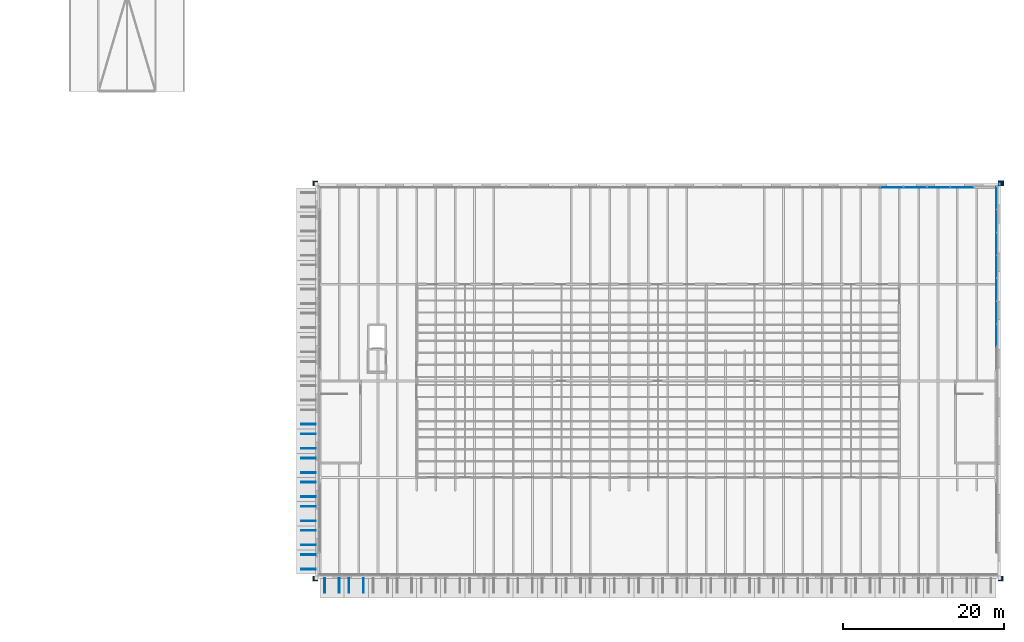
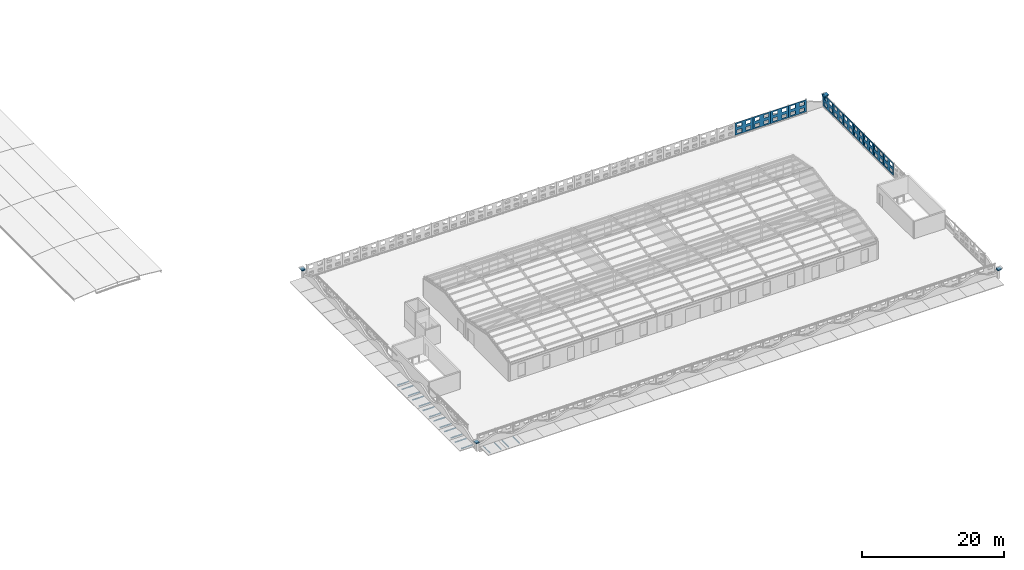
# One storey, part 64 of 91: 21 walls, 17 discrete accessories, 44 openings.
"""IFC4 building model written with IfcOpenShell, lengths in metres."""

import ifcopenshell
import ifcopenshell.guid

model = None  # the IFC model being written
_history = None  # IfcOwnerHistory: only IFC2X3 demands one
_inside = {}  # id of a spatial element -> (the spatial element, [elements in it])
_under = {}  # id of a project, library or spatial element -> (it, [spatial elements below it])
_declared = {}  # id of a project -> (the project, [libraries it declares])
_typed = {}  # id of a type object -> (the type object, [elements of that type])
_made_of = {}  # id of a material, layer set ... -> (it, [elements and type objects made of it])


def new_model(schema):
    """Start an empty IFC model of exactly this schema.

    Asked for "IFC4X3", IfcOpenShell would pick the latest addendum, in which some entities
    have other attributes; the version numbers below select the first issue.
    IFC2X3 requires an IfcOwnerHistory on every rooted entity: one is made here for all.
    """
    global model, _history
    if schema == "IFC4X3":
        model = ifcopenshell.file(schema_version=(4, 3, 0, 0))
    else:
        model = ifcopenshell.file(schema=schema)
    _inside.clear()
    _under.clear()
    _declared.clear()
    _typed.clear()
    _made_of.clear()
    _history = None
    if model.schema == "IFC2X3":
        org = make("IfcOrganization", Name="unknown")
        user = make(
            "IfcPersonAndOrganization",
            ThePerson=make("IfcPerson", FamilyName="unknown"),
            TheOrganization=org,
        )
        app = make(
            "IfcApplication",
            ApplicationDeveloper=org,
            Version="unknown",
            ApplicationFullName="unknown",
            ApplicationIdentifier="unknown",
        )
        _history = make(
            "IfcOwnerHistory",
            OwningUser=user,
            OwningApplication=app,
            ChangeAction="ADDED",
            CreationDate=0,
        )
    return model


def make(cls, **values):
    """One entity of the class cls with the attributes given. An attribute that is None is left unset."""
    return model.create_entity(
        cls, **{name: value for name, value in values.items() if value is not None}
    )


def rooted(cls, **values):
    """An entity with a GlobalId (a new one), such as an element, a storey or a relation."""
    return make(cls, GlobalId=ifcopenshell.guid.new(), OwnerHistory=_history, **values)


def si_unit(unit_type, name, prefix=None):
    """IfcSIUnit, for example si_unit("LENGTHUNIT", "METRE", prefix="MILLI")."""
    return make("IfcSIUnit", UnitType=unit_type, Prefix=prefix, Name=name)


def assignment(units):
    """IfcUnitAssignment: the units of a project."""
    return None if units is None else make("IfcUnitAssignment", Units=units)


def point(xyz):
    """IfcCartesianPoint."""
    return None if xyz is None else make("IfcCartesianPoint", Coordinates=xyz)


def direction(xyz):
    """IfcDirection."""
    return None if xyz is None else make("IfcDirection", DirectionRatios=xyz)


def frame(location, z_axis=None, x_axis=None):
    """IfcAxis2Placement3D, a coordinate frame: its origin and axes. An axis left out is left unset."""
    return make(
        "IfcAxis2Placement3D",
        Location=point(location),
        Axis=direction(z_axis),
        RefDirection=direction(x_axis),
    )


def frame_2d(location, x_axis=None):
    """IfcAxis2Placement2D, a coordinate frame in the plane: its origin and x axis."""
    return make(
        "IfcAxis2Placement2D", Location=point(location), RefDirection=direction(x_axis)
    )


def origin():
    """The frame at (0, 0, 0) with its axes left unset."""
    return frame((0.0, 0.0, 0.0))


def origin_2d():
    """The frame at (0, 0) in the plane with its x axis left unset."""
    return frame_2d((0.0, 0.0))


def place(relative_to, where):
    """IfcLocalPlacement: puts the frame where relative to a parent placement (None: the world)."""
    return make(
        "IfcLocalPlacement", PlacementRelTo=relative_to, RelativePlacement=where
    )


def context(
    kind, dimensions, precision=None, world=None, true_north=None, identifier=None
):
    """IfcGeometricRepresentationContext, for example the 3D "Model" context."""
    return make(
        "IfcGeometricRepresentationContext",
        ContextIdentifier=identifier,
        ContextType=kind,
        CoordinateSpaceDimension=dimensions,
        Precision=precision,
        WorldCoordinateSystem=world,
        TrueNorth=true_north,
    )


def subcontext(parent, identifier, kind, view, scale=None):
    """IfcGeometricRepresentationSubContext, for example "Body" below "Model"."""
    return make(
        "IfcGeometricRepresentationSubContext",
        ContextIdentifier=identifier,
        ContextType=kind,
        ParentContext=parent,
        TargetScale=scale,
        TargetView=view,
    )


def project(units=None, contexts=None):
    """IfcProject with its units and contexts."""
    return rooted(
        "IfcProject",
        Name="project",
        RepresentationContexts=contexts,
        UnitsInContext=assignment(units),
    )


def spatial(cls, under=None, at=None, **own):
    """A site, building, storey or space (cls), placed at a placement, below another one or the project."""
    s = rooted(cls, ObjectPlacement=at, **own)
    if under is not None:
        _under.setdefault(under.id(), (under, []))[1].append(s)
    return s


def profile(cls, at=None, kind="AREA", **sizes):
    """A parametric profile (cls). Its sizes go by their IFC names, for example OverallWidth=200.0."""
    return make(cls, ProfileType=kind, Position=at, **sizes)


def rectangle(**sizes):
    """IfcRectangleProfileDef."""
    return profile("IfcRectangleProfileDef", **sizes)


def extrude(swept, where, along, depth):
    """IfcExtrudedAreaSolid: the profile swept, set in the frame where, extruded along a direction by depth."""
    return make(
        "IfcExtrudedAreaSolid",
        SweptArea=swept,
        Position=where,
        ExtrudedDirection=direction(along),
        Depth=depth,
    )


def shape(context_of_items, identifier, shape_type, items):
    """IfcShapeRepresentation: the items that make up one representation, for example the "Body"."""
    return make(
        "IfcShapeRepresentation",
        ContextOfItems=context_of_items,
        RepresentationIdentifier=identifier,
        RepresentationType=shape_type,
        Items=items,
    )


def material(Name=None, Category=None):
    """IfcMaterial."""
    return make("IfcMaterial", Name=Name, Category=Category)


def layer(
    of_material, thickness, ventilated=None, Name=None, Category=None, Priority=None
):
    """IfcMaterialLayer: one layer of a wall or slab, of a material (None: an air gap)."""
    return make(
        "IfcMaterialLayer",
        Material=of_material,
        LayerThickness=thickness,
        IsVentilated=ventilated,
        Name=Name,
        Category=Category,
        Priority=Priority,
    )


def layer_set(layers, Name=None):
    """IfcMaterialLayerSet."""
    return make("IfcMaterialLayerSet", MaterialLayers=layers, LayerSetName=Name)


def made_of(thing, what):
    """Note that an element or type object is made of a material, layer set ...; save() writes the relation."""
    if what is not None:
        _made_of.setdefault(what.id(), (what, []))[1].append(thing)
    return thing


def type_object(cls, material=None, **own):
    """A type object (cls), such as IfcWallType, which elements share."""
    return made_of(rooted(cls, **own), material)


def element(
    cls,
    number,
    at=None,
    inside=None,
    cuts=None,
    type_object=None,
    material=None,
    context=None,
    identifier="Body",
    shape_type=None,
    held_by="IfcProductDefinitionShape",
    body=None,
    shapes=None,
    **own,
):
    """One element of the class cls, such as IfcWall. Its Tag is "e" and its number.

    at: its placement. inside: the storey or other place that contains it. cuts: it is an
    opening in that element (IfcRelVoidsElement). A single representation is given by context,
    identifier, shape_type and body (its items); several are given by shapes. held_by: the class
    of the entity that holds the representations. save() writes the other relations.
    """
    e = rooted(cls, Tag="e%d" % number, ObjectPlacement=at, **own)
    if body is not None:
        shapes = [shape(context, identifier, shape_type, body)]
    if shapes is not None:
        e.Representation = make(held_by, Representations=shapes)
    if inside is not None:
        _inside.setdefault(inside.id(), (inside, []))[1].append(e)
    if cuts is not None:
        rooted(
            "IfcRelVoidsElement", RelatingBuildingElement=cuts, RelatedOpeningElement=e
        )
    if type_object is not None:
        _typed.setdefault(type_object.id(), (type_object, []))[1].append(e)
    return made_of(e, material)


def aggregate(whole, parts):
    """IfcRelAggregates: a whole, such as a stair, and the parts it consists of."""
    return rooted("IfcRelAggregates", RelatingObject=whole, RelatedObjects=parts)


def save(model, path):
    """Write the relations noted so far, then the file.

    IfcRelAggregates (storeys below a building ...), IfcRelContainedInSpatialStructure (elements
    in a storey), IfcRelDefinesByType, IfcRelAssociatesMaterial and IfcRelDeclares: one each for
    every whole, place, type object, material and project.
    """
    for whole, parts in _under.values():
        aggregate(whole, parts)
    for where, things in _inside.values():
        rooted(
            "IfcRelContainedInSpatialStructure",
            RelatedElements=things,
            RelatingStructure=where,
        )
    for kind, things in _typed.values():
        rooted("IfcRelDefinesByType", RelatedObjects=things, RelatingType=kind)
    for what, things in _made_of.values():
        rooted("IfcRelAssociatesMaterial", RelatedObjects=things, RelatingMaterial=what)
    for by, libraries in _declared.values():
        rooted("IfcRelDeclares", RelatingContext=by, RelatedDefinitions=libraries)
    model.write(path)


model = new_model("IFC4")

# Units and contexts
model_context = context("Model", 3, precision=1e-05, world=origin(), true_north=direction((0.0, 1.0)))
body_context = subcontext(model_context, "Body", "Model", "MODEL_VIEW")
ifc_project = project(units=[si_unit("LENGTHUNIT", "METRE"), si_unit("AREAUNIT", "SQUARE_METRE"), si_unit("VOLUMEUNIT", "CUBIC_METRE"), si_unit("PLANEANGLEUNIT", "RADIAN"), si_unit("MASSUNIT", "GRAM", prefix="KILO")], contexts=[model_context])

# Site, building, storey
site_placement = place(None, origin())
site = spatial("IfcSite", under=ifc_project, at=site_placement, CompositionType="ELEMENT")
building_placement = place(site_placement, origin())
building = spatial("IfcBuilding", under=site, at=building_placement, Name="Ravi Spectrum Wholesale Market", CompositionType="ELEMENT")
storey_placement = place(building_placement, frame((0.0, 0.0, 16.199951171875)))
storey = spatial("IfcBuildingStorey", under=building, at=storey_placement, Name="ROOF PLANT LEVEL", CompositionType="ELEMENT", Elevation=16.199951171875)

# Walls
ifc_material_1 = material(Name="Clinker brickwork", Category="masonry")
ifc_layer_1 = layer(ifc_material_1, 0.554931640625)
ifc_layer_set_1 = layer_set([ifc_layer_1], Name="Clinker brickwork")
wall_type_1 = type_object("IfcWallType", Name="Brick corbel 555", PredefinedType="SOLIDWALL", material=ifc_layer_set_1)
for number, where, z_axis, x_axis, name in (
    (1, (197.75, 17.472412109375, 1.41015625), (0.0, 0.0, 1.0), (-1.0, 0.0, 0.0), "CS-WL-ROOF-006"),
    (2, (282.25, 17.472412109375, 1.41015625), (0.0, 0.0, 1.0), (1.0, 0.0, 0.0), "CS-WL-ROOF-010"),
    (3, (282.25, 66.527587890625, 1.41015625), (0.0, 0.0, 1.0), (1.0, 0.0, 0.0), "CS-WL-ROOF-014"),
    (4, (197.75, 66.527587890625, 1.41015625), (0.0, 0.0, 1.0), (-1.0, 0.0, 0.0), "CS-WL-ROOF-018"),
):
    element("IfcWall", number, at=place(storey_placement, frame(where, z_axis=z_axis, x_axis=x_axis)), inside=storey, type_object=wall_type_1, Name=name, PredefinedType="SOLIDWALL", context=body_context, shape_type="SweptSolid", body=[
        extrude(rectangle(XDim=0.530029296875, YDim=0.554931640625, at=frame_2d((0.26513671875, 0.0))), origin(), (0.0, 0.0, 1.0), 0.1298828125),
    ])
ifc_material_2 = material(Name="Clinker brickwork", Category="masonry")
ifc_layer_2 = layer(ifc_material_2, 0.625)
ifc_layer_set_2 = layer_set([ifc_layer_2], Name="Clinker brickwork")
wall_type_2 = type_object("IfcWallType", Name="Brick corbel 625", PredefinedType="SOLIDWALL", material=ifc_layer_set_2)
for number, where, z_axis, x_axis, name in (
    (5, (197.75, 17.4375, 1.5400390625), (0.0, 0.0, 1.0), (-1.0, 0.0, 0.0), "CS-WL-ROOF-007"),
    (6, (282.25, 17.4375, 1.5400390625), (0.0, 0.0, 1.0), (1.0, 0.0, 0.0), "CS-WL-ROOF-011"),
    (7, (282.25, 66.5625, 1.5400390625), (0.0, 0.0, 1.0), (1.0, 0.0, 0.0), "CS-WL-ROOF-015"),
    (8, (197.75, 66.5625, 1.5400390625), (0.0, 0.0, 1.0), (-1.0, 0.0, 0.0), "CS-WL-ROOF-019"),
):
    element("IfcWall", number, at=place(storey_placement, frame(where, z_axis=z_axis, x_axis=x_axis)), inside=storey, type_object=wall_type_2, Name=name, PredefinedType="SOLIDWALL", context=body_context, shape_type="SweptSolid", body=[
        extrude(rectangle(XDim=0.64501953125, YDim=0.625, at=frame_2d((0.322509765625, 0.0))), origin(), (0.0, 0.0, 1.0), 0.130126953125),
    ])
ifc_material_3 = material(Name="Clinker brickwork", Category="masonry")
ifc_layer_3 = layer(ifc_material_3, 0.695068359375)
ifc_layer_set_3 = layer_set([ifc_layer_3], Name="Clinker brickwork")
wall_type_3 = type_object("IfcWallType", Name="Brick corbel 695", PredefinedType="SOLIDWALL", material=ifc_layer_set_3)
wall_1_placement = place(storey_placement, frame((282.25, 66.597412109375, 1.670166015625), z_axis=(0.0, 0.0, 1.0), x_axis=(1.0, 0.0, 0.0)))
element("IfcWall", 9, at=wall_1_placement, inside=storey, type_object=wall_type_3, Name="CS-WL-ROOF-016", PredefinedType="SOLIDWALL", context=body_context, shape_type="SweptSolid", body=[
    extrude(rectangle(XDim=0.760009765625, YDim=0.695068359375, at=frame_2d((0.3798828125, 0.0))), origin(), (0.0, 0.0, 1.0), 0.1298828125),
])
ifc_material_4 = material(Name="Clinker brickwork", Category="masonry")
ifc_layer_4 = layer(ifc_material_4, 0.485107421875)
ifc_layer_set_4 = layer_set([ifc_layer_4], Name="Clinker brickwork")
wall_type_4 = type_object("IfcWallType", Name="Brick pier 485", PredefinedType="SOLIDWALL", material=ifc_layer_set_4)
wall_2_placement = place(storey_placement, frame((282.25, 66.492431640625, 0.0), z_axis=(0.0, 0.0, 1.0), x_axis=(1.0, 0.0, 0.0)))
element("IfcWall", 10, at=wall_2_placement, inside=storey, type_object=wall_type_4, Name="CS-WL-ROOF-013", PredefinedType="SOLIDWALL", context=body_context, shape_type="SweptSolid", body=[
    extrude(rectangle(XDim=0.4150390625, YDim=0.485107421875, at=frame_2d((0.20751953125, 0.0))), origin(), (0.0, 0.0, 1.0), 1.41015625),
])

# Wall, openings
ifc_material_5 = material(Name="Aluminium perforated plate", Category="aluminium")
ifc_layer_5 = layer(ifc_material_5, 0.030029296875)
ifc_layer_set_5 = layer_set([ifc_layer_5], Name="Aluminium perforated plate")
wall_type_5 = type_object("IfcWallType", Name="Perforated screen panel 30", PredefinedType="SOLIDWALL", material=ifc_layer_set_5)
wall_3_placement = place(storey_placement, frame((282.05078125, 46.26171875, 0.300048828125), z_axis=(0.0, 0.0, 1.0), x_axis=(0.0, 1.0, 0.0)))
wall_3 = element("IfcWall", 11, at=wall_3_placement, inside=storey, type_object=wall_type_5, Name="CS-WL-ROOF-059", PredefinedType="SOLIDWALL", context=body_context, shape_type="SweptSolid", body=[
    extrude(rectangle(XDim=2.84130859375, YDim=0.030029296875, at=frame_2d((1.420654296875, 0.0))), origin(), (0.0, 0.0, 1.0), 2.10009765625),
])
opening_1_placement = place(wall_3_placement, frame((0.35009765625, 0.0, 0.25)))
element("IfcOpeningElement", 12, at=opening_1_placement, cuts=wall_3, Name="Opening CS-OP-ROOF-153", PredefinedType="OPENING", context=body_context, shape_type="SweptSolid", body=[
    extrude(rectangle(XDim=0.720703125, YDim=0.550048828125, at=frame_2d((0.3603515625, 0.27490234375))), frame((0.0, 0.02490234375, 0.0), z_axis=(0.0, -1.0, 0.0), x_axis=(1.0, 0.0, 0.0)), (0.0, 0.0, 1.0), 0.050048828125),
])
opening_2_placement = place(wall_3_placement, frame((0.35009765625, 0.0, 1.300048828125)))
element("IfcOpeningElement", 13, at=opening_2_placement, cuts=wall_3, Name="Opening CS-OP-ROOF-154", PredefinedType="OPENING", context=body_context, shape_type="SweptSolid", body=[
    extrude(rectangle(XDim=0.720703125, YDim=0.550048828125, at=frame_2d((0.3603515625, 0.27490234375))), frame((0.0, 0.02490234375, 0.0), z_axis=(0.0, -1.0, 0.0), x_axis=(1.0, 0.0, 0.0)), (0.0, 0.0, 1.0), 0.050048828125),
])
opening_3_placement = place(wall_3_placement, frame((1.7705078125, 0.0, 0.25)))
element("IfcOpeningElement", 14, at=opening_3_placement, cuts=wall_3, Name="Opening CS-OP-ROOF-155", PredefinedType="OPENING", context=body_context, shape_type="SweptSolid", body=[
    extrude(rectangle(XDim=0.720703125, YDim=0.550048828125, at=frame_2d((0.3603515625, 0.27490234375))), frame((0.0, 0.02490234375, 0.0), z_axis=(0.0, -1.0, 0.0), x_axis=(1.0, 0.0, 0.0)), (0.0, 0.0, 1.0), 0.050048828125),
])
opening_4_placement = place(wall_3_placement, frame((1.7705078125, 0.0, 1.300048828125)))
element("IfcOpeningElement", 15, at=opening_4_placement, cuts=wall_3, Name="Opening CS-OP-ROOF-156", PredefinedType="OPENING", context=body_context, shape_type="SweptSolid", body=[
    extrude(rectangle(XDim=0.720703125, YDim=0.550048828125, at=frame_2d((0.3603515625, 0.27490234375))), frame((0.0, 0.02490234375, 0.0), z_axis=(0.0, -1.0, 0.0), x_axis=(1.0, 0.0, 0.0)), (0.0, 0.0, 1.0), 0.050048828125),
])

wall_4_placement = place(storey_placement, frame((282.05078125, 49.10302734375, 0.300048828125), z_axis=(0.0, 0.0, 1.0), x_axis=(0.0, 1.0, 0.0)))
wall_4 = element("IfcWall", 16, at=wall_4_placement, inside=storey, type_object=wall_type_5, Name="CS-WL-ROOF-060", PredefinedType="SOLIDWALL", context=body_context, shape_type="SweptSolid", body=[
    extrude(rectangle(XDim=2.841064453125, YDim=0.030029296875, at=frame_2d((1.42041015625, 0.0))), origin(), (0.0, 0.0, 1.0), 2.10009765625),
])
opening_5_placement = place(wall_4_placement, frame((0.35009765625, 0.0, 0.25)))
element("IfcOpeningElement", 17, at=opening_5_placement, cuts=wall_4, Name="Opening CS-OP-ROOF-157", PredefinedType="OPENING", context=body_context, shape_type="SweptSolid", body=[
    extrude(rectangle(XDim=0.720703125, YDim=0.550048828125, at=frame_2d((0.3603515625, 0.27490234375))), frame((0.0, 0.02490234375, 0.0), z_axis=(0.0, -1.0, 0.0), x_axis=(1.0, 0.0, 0.0)), (0.0, 0.0, 1.0), 0.050048828125),
])
opening_6_placement = place(wall_4_placement, frame((0.35009765625, 0.0, 1.300048828125)))
element("IfcOpeningElement", 18, at=opening_6_placement, cuts=wall_4, Name="Opening CS-OP-ROOF-158", PredefinedType="OPENING", context=body_context, shape_type="SweptSolid", body=[
    extrude(rectangle(XDim=0.720703125, YDim=0.550048828125, at=frame_2d((0.3603515625, 0.27490234375))), frame((0.0, 0.02490234375, 0.0), z_axis=(0.0, -1.0, 0.0), x_axis=(1.0, 0.0, 0.0)), (0.0, 0.0, 1.0), 0.050048828125),
])
opening_7_placement = place(wall_4_placement, frame((1.7705078125, 0.0, 0.25)))
element("IfcOpeningElement", 19, at=opening_7_placement, cuts=wall_4, Name="Opening CS-OP-ROOF-159", PredefinedType="OPENING", context=body_context, shape_type="SweptSolid", body=[
    extrude(rectangle(XDim=0.720703125, YDim=0.550048828125, at=frame_2d((0.3603515625, 0.27490234375))), frame((0.0, 0.02490234375, 0.0), z_axis=(0.0, -1.0, 0.0), x_axis=(1.0, 0.0, 0.0)), (0.0, 0.0, 1.0), 0.050048828125),
])
opening_8_placement = place(wall_4_placement, frame((1.7705078125, 0.0, 1.300048828125)))
element("IfcOpeningElement", 20, at=opening_8_placement, cuts=wall_4, Name="Opening CS-OP-ROOF-160", PredefinedType="OPENING", context=body_context, shape_type="SweptSolid", body=[
    extrude(rectangle(XDim=0.720703125, YDim=0.550048828125, at=frame_2d((0.3603515625, 0.27490234375))), frame((0.0, 0.02490234375, 0.0), z_axis=(0.0, -1.0, 0.0), x_axis=(1.0, 0.0, 0.0)), (0.0, 0.0, 1.0), 0.050048828125),
])

wall_5_placement = place(storey_placement, frame((282.05078125, 51.944091796875, 0.300048828125), z_axis=(0.0, 0.0, 1.0), x_axis=(0.0, 1.0, 0.0)))
wall_5 = element("IfcWall", 21, at=wall_5_placement, inside=storey, type_object=wall_type_5, Name="CS-WL-ROOF-061", PredefinedType="SOLIDWALL", context=body_context, shape_type="SweptSolid", body=[
    extrude(rectangle(XDim=2.84130859375, YDim=0.030029296875, at=frame_2d((1.420654296875, 0.0))), origin(), (0.0, 0.0, 1.0), 2.10009765625),
])
opening_9_placement = place(wall_5_placement, frame((0.35009765625, 0.0, 0.25)))
element("IfcOpeningElement", 22, at=opening_9_placement, cuts=wall_5, Name="Opening CS-OP-ROOF-161", PredefinedType="OPENING", context=body_context, shape_type="SweptSolid", body=[
    extrude(rectangle(XDim=0.720703125, YDim=0.550048828125, at=frame_2d((0.3603515625, 0.27490234375))), frame((0.0, 0.02490234375, 0.0), z_axis=(0.0, -1.0, 0.0), x_axis=(1.0, 0.0, 0.0)), (0.0, 0.0, 1.0), 0.050048828125),
])
opening_10_placement = place(wall_5_placement, frame((0.35009765625, 0.0, 1.300048828125)))
element("IfcOpeningElement", 23, at=opening_10_placement, cuts=wall_5, Name="Opening CS-OP-ROOF-162", PredefinedType="OPENING", context=body_context, shape_type="SweptSolid", body=[
    extrude(rectangle(XDim=0.720703125, YDim=0.550048828125, at=frame_2d((0.3603515625, 0.27490234375))), frame((0.0, 0.02490234375, 0.0), z_axis=(0.0, -1.0, 0.0), x_axis=(1.0, 0.0, 0.0)), (0.0, 0.0, 1.0), 0.050048828125),
])
opening_11_placement = place(wall_5_placement, frame((1.7705078125, 0.0, 0.25)))
element("IfcOpeningElement", 24, at=opening_11_placement, cuts=wall_5, Name="Opening CS-OP-ROOF-163", PredefinedType="OPENING", context=body_context, shape_type="SweptSolid", body=[
    extrude(rectangle(XDim=0.720703125, YDim=0.550048828125, at=frame_2d((0.3603515625, 0.27490234375))), frame((0.0, 0.02490234375, 0.0), z_axis=(0.0, -1.0, 0.0), x_axis=(1.0, 0.0, 0.0)), (0.0, 0.0, 1.0), 0.050048828125),
])
opening_12_placement = place(wall_5_placement, frame((1.7705078125, 0.0, 1.300048828125)))
element("IfcOpeningElement", 25, at=opening_12_placement, cuts=wall_5, Name="Opening CS-OP-ROOF-164", PredefinedType="OPENING", context=body_context, shape_type="SweptSolid", body=[
    extrude(rectangle(XDim=0.720703125, YDim=0.550048828125, at=frame_2d((0.3603515625, 0.27490234375))), frame((0.0, 0.02490234375, 0.0), z_axis=(0.0, -1.0, 0.0), x_axis=(1.0, 0.0, 0.0)), (0.0, 0.0, 1.0), 0.050048828125),
])

wall_6_placement = place(storey_placement, frame((282.05078125, 54.785400390625, 0.300048828125), z_axis=(0.0, 0.0, 1.0), x_axis=(0.0, 1.0, 0.0)))
wall_6 = element("IfcWall", 26, at=wall_6_placement, inside=storey, type_object=wall_type_5, Name="CS-WL-ROOF-062", PredefinedType="SOLIDWALL", context=body_context, shape_type="SweptSolid", body=[
    extrude(rectangle(XDim=2.841064453125, YDim=0.030029296875, at=frame_2d((1.42041015625, 0.0))), origin(), (0.0, 0.0, 1.0), 2.10009765625),
])
opening_13_placement = place(wall_6_placement, frame((0.35009765625, 0.0, 0.25)))
element("IfcOpeningElement", 27, at=opening_13_placement, cuts=wall_6, Name="Opening CS-OP-ROOF-165", PredefinedType="OPENING", context=body_context, shape_type="SweptSolid", body=[
    extrude(rectangle(XDim=0.720703125, YDim=0.550048828125, at=frame_2d((0.3603515625, 0.27490234375))), frame((0.0, 0.02490234375, 0.0), z_axis=(0.0, -1.0, 0.0), x_axis=(1.0, 0.0, 0.0)), (0.0, 0.0, 1.0), 0.050048828125),
])
opening_14_placement = place(wall_6_placement, frame((0.35009765625, 0.0, 1.300048828125)))
element("IfcOpeningElement", 28, at=opening_14_placement, cuts=wall_6, Name="Opening CS-OP-ROOF-166", PredefinedType="OPENING", context=body_context, shape_type="SweptSolid", body=[
    extrude(rectangle(XDim=0.720703125, YDim=0.550048828125, at=frame_2d((0.3603515625, 0.27490234375))), frame((0.0, 0.02490234375, 0.0), z_axis=(0.0, -1.0, 0.0), x_axis=(1.0, 0.0, 0.0)), (0.0, 0.0, 1.0), 0.050048828125),
])
opening_15_placement = place(wall_6_placement, frame((1.7705078125, 0.0, 0.25)))
element("IfcOpeningElement", 29, at=opening_15_placement, cuts=wall_6, Name="Opening CS-OP-ROOF-167", PredefinedType="OPENING", context=body_context, shape_type="SweptSolid", body=[
    extrude(rectangle(XDim=0.720703125, YDim=0.550048828125, at=frame_2d((0.3603515625, 0.27490234375))), frame((0.0, 0.02490234375, 0.0), z_axis=(0.0, -1.0, 0.0), x_axis=(1.0, 0.0, 0.0)), (0.0, 0.0, 1.0), 0.050048828125),
])
opening_16_placement = place(wall_6_placement, frame((1.7705078125, 0.0, 1.300048828125)))
element("IfcOpeningElement", 30, at=opening_16_placement, cuts=wall_6, Name="Opening CS-OP-ROOF-168", PredefinedType="OPENING", context=body_context, shape_type="SweptSolid", body=[
    extrude(rectangle(XDim=0.720703125, YDim=0.550048828125, at=frame_2d((0.3603515625, 0.27490234375))), frame((0.0, 0.02490234375, 0.0), z_axis=(0.0, -1.0, 0.0), x_axis=(1.0, 0.0, 0.0)), (0.0, 0.0, 1.0), 0.050048828125),
])

wall_7_placement = place(storey_placement, frame((282.05078125, 57.62646484375, 0.300048828125), z_axis=(0.0, 0.0, 1.0), x_axis=(0.0, 1.0, 0.0)))
wall_7 = element("IfcWall", 31, at=wall_7_placement, inside=storey, type_object=wall_type_5, Name="CS-WL-ROOF-063", PredefinedType="SOLIDWALL", context=body_context, shape_type="SweptSolid", body=[
    extrude(rectangle(XDim=2.841064453125, YDim=0.030029296875, at=frame_2d((1.42041015625, 0.0))), origin(), (0.0, 0.0, 1.0), 2.10009765625),
])
opening_17_placement = place(wall_7_placement, frame((0.35009765625, 0.0, 0.25)))
element("IfcOpeningElement", 32, at=opening_17_placement, cuts=wall_7, Name="Opening CS-OP-ROOF-169", PredefinedType="OPENING", context=body_context, shape_type="SweptSolid", body=[
    extrude(rectangle(XDim=0.720703125, YDim=0.550048828125, at=frame_2d((0.3603515625, 0.27490234375))), frame((0.0, 0.02490234375, 0.0), z_axis=(0.0, -1.0, 0.0), x_axis=(1.0, 0.0, 0.0)), (0.0, 0.0, 1.0), 0.050048828125),
])
opening_18_placement = place(wall_7_placement, frame((0.35009765625, 0.0, 1.300048828125)))
element("IfcOpeningElement", 33, at=opening_18_placement, cuts=wall_7, Name="Opening CS-OP-ROOF-170", PredefinedType="OPENING", context=body_context, shape_type="SweptSolid", body=[
    extrude(rectangle(XDim=0.720703125, YDim=0.550048828125, at=frame_2d((0.3603515625, 0.27490234375))), frame((0.0, 0.02490234375, 0.0), z_axis=(0.0, -1.0, 0.0), x_axis=(1.0, 0.0, 0.0)), (0.0, 0.0, 1.0), 0.050048828125),
])
opening_19_placement = place(wall_7_placement, frame((1.7705078125, 0.0, 0.25)))
element("IfcOpeningElement", 34, at=opening_19_placement, cuts=wall_7, Name="Opening CS-OP-ROOF-171", PredefinedType="OPENING", context=body_context, shape_type="SweptSolid", body=[
    extrude(rectangle(XDim=0.720703125, YDim=0.550048828125, at=frame_2d((0.3603515625, 0.27490234375))), frame((0.0, 0.02490234375, 0.0), z_axis=(0.0, -1.0, 0.0), x_axis=(1.0, 0.0, 0.0)), (0.0, 0.0, 1.0), 0.050048828125),
])
opening_20_placement = place(wall_7_placement, frame((1.7705078125, 0.0, 1.300048828125)))
element("IfcOpeningElement", 35, at=opening_20_placement, cuts=wall_7, Name="Opening CS-OP-ROOF-172", PredefinedType="OPENING", context=body_context, shape_type="SweptSolid", body=[
    extrude(rectangle(XDim=0.720703125, YDim=0.550048828125, at=frame_2d((0.3603515625, 0.27490234375))), frame((0.0, 0.02490234375, 0.0), z_axis=(0.0, -1.0, 0.0), x_axis=(1.0, 0.0, 0.0)), (0.0, 0.0, 1.0), 0.050048828125),
])

wall_8_placement = place(storey_placement, frame((282.05078125, 60.467529296875, 0.300048828125), z_axis=(0.0, 0.0, 1.0), x_axis=(0.0, 1.0, 0.0)))
wall_8 = element("IfcWall", 36, at=wall_8_placement, inside=storey, type_object=wall_type_5, Name="CS-WL-ROOF-064", PredefinedType="SOLIDWALL", context=body_context, shape_type="SweptSolid", body=[
    extrude(rectangle(XDim=2.84130859375, YDim=0.030029296875, at=frame_2d((1.420654296875, 0.0))), origin(), (0.0, 0.0, 1.0), 2.10009765625),
])
opening_21_placement = place(wall_8_placement, frame((0.35009765625, 0.0, 0.25)))
element("IfcOpeningElement", 37, at=opening_21_placement, cuts=wall_8, Name="Opening CS-OP-ROOF-173", PredefinedType="OPENING", context=body_context, shape_type="SweptSolid", body=[
    extrude(rectangle(XDim=0.720703125, YDim=0.550048828125, at=frame_2d((0.3603515625, 0.27490234375))), frame((0.0, 0.02490234375, 0.0), z_axis=(0.0, -1.0, 0.0), x_axis=(1.0, 0.0, 0.0)), (0.0, 0.0, 1.0), 0.050048828125),
])
opening_22_placement = place(wall_8_placement, frame((0.35009765625, 0.0, 1.300048828125)))
element("IfcOpeningElement", 38, at=opening_22_placement, cuts=wall_8, Name="Opening CS-OP-ROOF-174", PredefinedType="OPENING", context=body_context, shape_type="SweptSolid", body=[
    extrude(rectangle(XDim=0.720703125, YDim=0.550048828125, at=frame_2d((0.3603515625, 0.27490234375))), frame((0.0, 0.02490234375, 0.0), z_axis=(0.0, -1.0, 0.0), x_axis=(1.0, 0.0, 0.0)), (0.0, 0.0, 1.0), 0.050048828125),
])
opening_23_placement = place(wall_8_placement, frame((1.7705078125, 0.0, 0.25)))
element("IfcOpeningElement", 39, at=opening_23_placement, cuts=wall_8, Name="Opening CS-OP-ROOF-175", PredefinedType="OPENING", context=body_context, shape_type="SweptSolid", body=[
    extrude(rectangle(XDim=0.720703125, YDim=0.550048828125, at=frame_2d((0.3603515625, 0.27490234375))), frame((0.0, 0.02490234375, 0.0), z_axis=(0.0, -1.0, 0.0), x_axis=(1.0, 0.0, 0.0)), (0.0, 0.0, 1.0), 0.050048828125),
])
opening_24_placement = place(wall_8_placement, frame((1.7705078125, 0.0, 1.300048828125)))
element("IfcOpeningElement", 40, at=opening_24_placement, cuts=wall_8, Name="Opening CS-OP-ROOF-176", PredefinedType="OPENING", context=body_context, shape_type="SweptSolid", body=[
    extrude(rectangle(XDim=0.720703125, YDim=0.550048828125, at=frame_2d((0.3603515625, 0.27490234375))), frame((0.0, 0.02490234375, 0.0), z_axis=(0.0, -1.0, 0.0), x_axis=(1.0, 0.0, 0.0)), (0.0, 0.0, 1.0), 0.050048828125),
])

wall_9_placement = place(storey_placement, frame((282.05078125, 63.308837890625, 0.300048828125), z_axis=(0.0, 0.0, 1.0), x_axis=(0.0, 1.0, 0.0)))
wall_9 = element("IfcWall", 41, at=wall_9_placement, inside=storey, type_object=wall_type_5, Name="CS-WL-ROOF-065", PredefinedType="SOLIDWALL", context=body_context, shape_type="SweptSolid", body=[
    extrude(rectangle(XDim=2.841064453125, YDim=0.030029296875, at=frame_2d((1.42041015625, 0.0))), origin(), (0.0, 0.0, 1.0), 2.10009765625),
])
opening_25_placement = place(wall_9_placement, frame((0.35009765625, 0.0, 0.25)))
element("IfcOpeningElement", 42, at=opening_25_placement, cuts=wall_9, Name="Opening CS-OP-ROOF-177", PredefinedType="OPENING", context=body_context, shape_type="SweptSolid", body=[
    extrude(rectangle(XDim=0.720703125, YDim=0.550048828125, at=frame_2d((0.3603515625, 0.27490234375))), frame((0.0, 0.02490234375, 0.0), z_axis=(0.0, -1.0, 0.0), x_axis=(1.0, 0.0, 0.0)), (0.0, 0.0, 1.0), 0.050048828125),
])
opening_26_placement = place(wall_9_placement, frame((0.35009765625, 0.0, 1.300048828125)))
element("IfcOpeningElement", 43, at=opening_26_placement, cuts=wall_9, Name="Opening CS-OP-ROOF-178", PredefinedType="OPENING", context=body_context, shape_type="SweptSolid", body=[
    extrude(rectangle(XDim=0.720703125, YDim=0.550048828125, at=frame_2d((0.3603515625, 0.27490234375))), frame((0.0, 0.02490234375, 0.0), z_axis=(0.0, -1.0, 0.0), x_axis=(1.0, 0.0, 0.0)), (0.0, 0.0, 1.0), 0.050048828125),
])
opening_27_placement = place(wall_9_placement, frame((1.7705078125, 0.0, 0.25)))
element("IfcOpeningElement", 44, at=opening_27_placement, cuts=wall_9, Name="Opening CS-OP-ROOF-179", PredefinedType="OPENING", context=body_context, shape_type="SweptSolid", body=[
    extrude(rectangle(XDim=0.720703125, YDim=0.550048828125, at=frame_2d((0.3603515625, 0.27490234375))), frame((0.0, 0.02490234375, 0.0), z_axis=(0.0, -1.0, 0.0), x_axis=(1.0, 0.0, 0.0)), (0.0, 0.0, 1.0), 0.050048828125),
])
opening_28_placement = place(wall_9_placement, frame((1.7705078125, 0.0, 1.300048828125)))
element("IfcOpeningElement", 45, at=opening_28_placement, cuts=wall_9, Name="Opening CS-OP-ROOF-180", PredefinedType="OPENING", context=body_context, shape_type="SweptSolid", body=[
    extrude(rectangle(XDim=0.720703125, YDim=0.550048828125, at=frame_2d((0.3603515625, 0.27490234375))), frame((0.0, 0.02490234375, 0.0), z_axis=(0.0, -1.0, 0.0), x_axis=(1.0, 0.0, 0.0)), (0.0, 0.0, 1.0), 0.050048828125),
])

wall_10_placement = place(storey_placement, frame((279.2431640625, 66.05078125, 0.300048828125), z_axis=(0.0, 0.0, 1.0), x_axis=(-1.0, 0.0, 0.0)))
wall_10 = element("IfcWall", 46, at=wall_10_placement, inside=storey, type_object=wall_type_5, Name="CS-WL-ROOF-066", PredefinedType="SOLIDWALL", context=body_context, shape_type="SweptSolid", body=[
    extrude(rectangle(XDim=2.906982421875, YDim=0.030029296875, at=frame_2d((1.45361328125, 0.0))), origin(), (0.0, 0.0, 1.0), 2.10009765625),
])
opening_29_placement = place(wall_10_placement, frame((0.35009765625, 0.0, 0.25)))
element("IfcOpeningElement", 47, at=opening_29_placement, cuts=wall_10, Name="Opening CS-OP-ROOF-181", PredefinedType="OPENING", context=body_context, shape_type="SweptSolid", body=[
    extrude(rectangle(XDim=0.75341796875, YDim=0.550048828125, at=frame_2d((0.376708984375, 0.27490234375))), frame((0.0, 0.02490234375, 0.0), z_axis=(0.0, -1.0, 0.0), x_axis=(1.0, 0.0, 0.0)), (0.0, 0.0, 1.0), 0.050048828125),
])
opening_30_placement = place(wall_10_placement, frame((0.35009765625, 0.0, 1.300048828125)))
element("IfcOpeningElement", 48, at=opening_30_placement, cuts=wall_10, Name="Opening CS-OP-ROOF-182", PredefinedType="OPENING", context=body_context, shape_type="SweptSolid", body=[
    extrude(rectangle(XDim=0.75341796875, YDim=0.550048828125, at=frame_2d((0.376708984375, 0.27490234375))), frame((0.0, 0.02490234375, 0.0), z_axis=(0.0, -1.0, 0.0), x_axis=(1.0, 0.0, 0.0)), (0.0, 0.0, 1.0), 0.050048828125),
])
opening_31_placement = place(wall_10_placement, frame((1.803466796875, 0.0, 0.25)))
element("IfcOpeningElement", 49, at=opening_31_placement, cuts=wall_10, Name="Opening CS-OP-ROOF-183", PredefinedType="OPENING", context=body_context, shape_type="SweptSolid", body=[
    extrude(rectangle(XDim=0.75341796875, YDim=0.550048828125, at=frame_2d((0.376708984375, 0.27490234375))), frame((0.0, 0.02490234375, 0.0), z_axis=(0.0, -1.0, 0.0), x_axis=(1.0, 0.0, 0.0)), (0.0, 0.0, 1.0), 0.050048828125),
])
opening_32_placement = place(wall_10_placement, frame((1.803466796875, 0.0, 1.300048828125)))
element("IfcOpeningElement", 50, at=opening_32_placement, cuts=wall_10, Name="Opening CS-OP-ROOF-184", PredefinedType="OPENING", context=body_context, shape_type="SweptSolid", body=[
    extrude(rectangle(XDim=0.75341796875, YDim=0.550048828125, at=frame_2d((0.376708984375, 0.27490234375))), frame((0.0, 0.02490234375, 0.0), z_axis=(0.0, -1.0, 0.0), x_axis=(1.0, 0.0, 0.0)), (0.0, 0.0, 1.0), 0.050048828125),
])

wall_11_placement = place(storey_placement, frame((276.336181640625, 66.05078125, 0.300048828125), z_axis=(0.0, 0.0, 1.0), x_axis=(-1.0, 0.0, 0.0)))
wall_11 = element("IfcWall", 51, at=wall_11_placement, inside=storey, type_object=wall_type_5, Name="CS-WL-ROOF-067", PredefinedType="SOLIDWALL", context=body_context, shape_type="SweptSolid", body=[
    extrude(rectangle(XDim=2.906982421875, YDim=0.030029296875, at=frame_2d((1.45361328125, 0.0))), origin(), (0.0, 0.0, 1.0), 2.10009765625),
])
opening_33_placement = place(wall_11_placement, frame((0.35009765625, 0.0, 0.25)))
element("IfcOpeningElement", 52, at=opening_33_placement, cuts=wall_11, Name="Opening CS-OP-ROOF-185", PredefinedType="OPENING", context=body_context, shape_type="SweptSolid", body=[
    extrude(rectangle(XDim=0.75341796875, YDim=0.550048828125, at=frame_2d((0.376708984375, 0.27490234375))), frame((0.0, 0.02490234375, 0.0), z_axis=(0.0, -1.0, 0.0), x_axis=(1.0, 0.0, 0.0)), (0.0, 0.0, 1.0), 0.050048828125),
])
opening_34_placement = place(wall_11_placement, frame((0.35009765625, 0.0, 1.300048828125)))
element("IfcOpeningElement", 53, at=opening_34_placement, cuts=wall_11, Name="Opening CS-OP-ROOF-186", PredefinedType="OPENING", context=body_context, shape_type="SweptSolid", body=[
    extrude(rectangle(XDim=0.75341796875, YDim=0.550048828125, at=frame_2d((0.376708984375, 0.27490234375))), frame((0.0, 0.02490234375, 0.0), z_axis=(0.0, -1.0, 0.0), x_axis=(1.0, 0.0, 0.0)), (0.0, 0.0, 1.0), 0.050048828125),
])
opening_35_placement = place(wall_11_placement, frame((1.803466796875, 0.0, 0.25)))
element("IfcOpeningElement", 54, at=opening_35_placement, cuts=wall_11, Name="Opening CS-OP-ROOF-187", PredefinedType="OPENING", context=body_context, shape_type="SweptSolid", body=[
    extrude(rectangle(XDim=0.75341796875, YDim=0.550048828125, at=frame_2d((0.376708984375, 0.27490234375))), frame((0.0, 0.02490234375, 0.0), z_axis=(0.0, -1.0, 0.0), x_axis=(1.0, 0.0, 0.0)), (0.0, 0.0, 1.0), 0.050048828125),
])
opening_36_placement = place(wall_11_placement, frame((1.803466796875, 0.0, 1.300048828125)))
element("IfcOpeningElement", 55, at=opening_36_placement, cuts=wall_11, Name="Opening CS-OP-ROOF-188", PredefinedType="OPENING", context=body_context, shape_type="SweptSolid", body=[
    extrude(rectangle(XDim=0.75341796875, YDim=0.550048828125, at=frame_2d((0.376708984375, 0.27490234375))), frame((0.0, 0.02490234375, 0.0), z_axis=(0.0, -1.0, 0.0), x_axis=(1.0, 0.0, 0.0)), (0.0, 0.0, 1.0), 0.050048828125),
])

wall_12_placement = place(storey_placement, frame((273.42919921875, 66.05078125, 0.300048828125), z_axis=(0.0, 0.0, 1.0), x_axis=(-1.0, 0.0, 0.0)))
wall_12 = element("IfcWall", 56, at=wall_12_placement, inside=storey, type_object=wall_type_5, Name="CS-WL-ROOF-068", PredefinedType="SOLIDWALL", context=body_context, shape_type="SweptSolid", body=[
    extrude(rectangle(XDim=2.90673828125, YDim=0.030029296875, at=frame_2d((1.453369140625, 0.0))), origin(), (0.0, 0.0, 1.0), 2.10009765625),
])
opening_37_placement = place(wall_12_placement, frame((0.35009765625, 0.0, 0.25)))
element("IfcOpeningElement", 57, at=opening_37_placement, cuts=wall_12, Name="Opening CS-OP-ROOF-189", PredefinedType="OPENING", context=body_context, shape_type="SweptSolid", body=[
    extrude(rectangle(XDim=0.75341796875, YDim=0.550048828125, at=frame_2d((0.376708984375, 0.27490234375))), frame((0.0, 0.02490234375, 0.0), z_axis=(0.0, -1.0, 0.0), x_axis=(1.0, 0.0, 0.0)), (0.0, 0.0, 1.0), 0.050048828125),
])
opening_38_placement = place(wall_12_placement, frame((0.35009765625, 0.0, 1.300048828125)))
element("IfcOpeningElement", 58, at=opening_38_placement, cuts=wall_12, Name="Opening CS-OP-ROOF-190", PredefinedType="OPENING", context=body_context, shape_type="SweptSolid", body=[
    extrude(rectangle(XDim=0.75341796875, YDim=0.550048828125, at=frame_2d((0.376708984375, 0.27490234375))), frame((0.0, 0.02490234375, 0.0), z_axis=(0.0, -1.0, 0.0), x_axis=(1.0, 0.0, 0.0)), (0.0, 0.0, 1.0), 0.050048828125),
])
opening_39_placement = place(wall_12_placement, frame((1.803466796875, 0.0, 0.25)))
element("IfcOpeningElement", 59, at=opening_39_placement, cuts=wall_12, Name="Opening CS-OP-ROOF-191", PredefinedType="OPENING", context=body_context, shape_type="SweptSolid", body=[
    extrude(rectangle(XDim=0.75341796875, YDim=0.550048828125, at=frame_2d((0.376708984375, 0.27490234375))), frame((0.0, 0.02490234375, 0.0), z_axis=(0.0, -1.0, 0.0), x_axis=(1.0, 0.0, 0.0)), (0.0, 0.0, 1.0), 0.050048828125),
])
opening_40_placement = place(wall_12_placement, frame((1.803466796875, 0.0, 1.300048828125)))
element("IfcOpeningElement", 60, at=opening_40_placement, cuts=wall_12, Name="Opening CS-OP-ROOF-192", PredefinedType="OPENING", context=body_context, shape_type="SweptSolid", body=[
    extrude(rectangle(XDim=0.75341796875, YDim=0.550048828125, at=frame_2d((0.376708984375, 0.27490234375))), frame((0.0, 0.02490234375, 0.0), z_axis=(0.0, -1.0, 0.0), x_axis=(1.0, 0.0, 0.0)), (0.0, 0.0, 1.0), 0.050048828125),
])

wall_13_placement = place(storey_placement, frame((270.5224609375, 66.05078125, 0.300048828125), z_axis=(0.0, 0.0, 1.0), x_axis=(-1.0, 0.0, 0.0)))
wall_13 = element("IfcWall", 61, at=wall_13_placement, inside=storey, type_object=wall_type_5, Name="CS-WL-ROOF-069", PredefinedType="SOLIDWALL", context=body_context, shape_type="SweptSolid", body=[
    extrude(rectangle(XDim=2.906982421875, YDim=0.030029296875, at=frame_2d((1.45361328125, 0.0))), origin(), (0.0, 0.0, 1.0), 2.10009765625),
])
opening_41_placement = place(wall_13_placement, frame((0.35009765625, 0.0, 0.25)))
element("IfcOpeningElement", 62, at=opening_41_placement, cuts=wall_13, Name="Opening CS-OP-ROOF-193", PredefinedType="OPENING", context=body_context, shape_type="SweptSolid", body=[
    extrude(rectangle(XDim=0.75341796875, YDim=0.550048828125, at=frame_2d((0.376708984375, 0.27490234375))), frame((0.0, 0.02490234375, 0.0), z_axis=(0.0, -1.0, 0.0), x_axis=(1.0, 0.0, 0.0)), (0.0, 0.0, 1.0), 0.050048828125),
])
opening_42_placement = place(wall_13_placement, frame((0.35009765625, 0.0, 1.300048828125)))
element("IfcOpeningElement", 63, at=opening_42_placement, cuts=wall_13, Name="Opening CS-OP-ROOF-194", PredefinedType="OPENING", context=body_context, shape_type="SweptSolid", body=[
    extrude(rectangle(XDim=0.75341796875, YDim=0.550048828125, at=frame_2d((0.376708984375, 0.27490234375))), frame((0.0, 0.02490234375, 0.0), z_axis=(0.0, -1.0, 0.0), x_axis=(1.0, 0.0, 0.0)), (0.0, 0.0, 1.0), 0.050048828125),
])
opening_43_placement = place(wall_13_placement, frame((1.803466796875, 0.0, 0.25)))
element("IfcOpeningElement", 64, at=opening_43_placement, cuts=wall_13, Name="Opening CS-OP-ROOF-195", PredefinedType="OPENING", context=body_context, shape_type="SweptSolid", body=[
    extrude(rectangle(XDim=0.75341796875, YDim=0.550048828125, at=frame_2d((0.376708984375, 0.27490234375))), frame((0.0, 0.02490234375, 0.0), z_axis=(0.0, -1.0, 0.0), x_axis=(1.0, 0.0, 0.0)), (0.0, 0.0, 1.0), 0.050048828125),
])
opening_44_placement = place(wall_13_placement, frame((1.803466796875, 0.0, 1.300048828125)))
element("IfcOpeningElement", 65, at=opening_44_placement, cuts=wall_13, Name="Opening CS-OP-ROOF-196", PredefinedType="OPENING", context=body_context, shape_type="SweptSolid", body=[
    extrude(rectangle(XDim=0.75341796875, YDim=0.550048828125, at=frame_2d((0.376708984375, 0.27490234375))), frame((0.0, 0.02490234375, 0.0), z_axis=(0.0, -1.0, 0.0), x_axis=(1.0, 0.0, 0.0)), (0.0, 0.0, 1.0), 0.050048828125),
])

# Discrete accessories
ifc_material_6 = material(Name="Steel S355", Category="steel")
discrete_accessory_type = type_object("IfcDiscreteAccessoryType", Name="Steel cantilever bracket 100 x 120", PredefinedType="BRACKET", material=ifc_material_6)
for number, where, z_axis, x_axis, name in (
    (66, (198.60009765625, 16.554931640625, 0.27001953125), (0.0, 0.0, 1.0), (1.0, 0.0, 0.0), "Canopy bracket"),
    (67, (200.39990234375, 16.554931640625, 0.27001953125), (0.0, 0.0, 1.0), (1.0, 0.0, 0.0), "Canopy bracket"),
    (68, (201.60009765625, 16.554931640625, 0.27001953125), (0.0, 0.0, 1.0), (1.0, 0.0, 0.0), "Canopy bracket"),
    (69, (203.39990234375, 16.554931640625, 0.27001953125), (0.0, 0.0, 1.0), (1.0, 0.0, 0.0), "Canopy bracket"),
):
    element("IfcDiscreteAccessory", number, at=place(storey_placement, frame(where, z_axis=z_axis, x_axis=x_axis)), inside=storey, type_object=discrete_accessory_type, Name=name, PredefinedType="BRACKET", context=body_context, shape_type="SweptSolid", body=[
        extrude(rectangle(XDim=0.10009765625, YDim=1.81005859375, at=origin_2d()), origin(), (0.0, 0.0, 1.0), 0.1201171875),
    ])
for number, where, z_axis, x_axis, name in (
    (70, (196.554931640625, 18.60009765625, 0.27001953125), (0.0, 0.0, 1.0), (1.0, 0.0, 0.0), "Canopy bracket"),
    (71, (196.554931640625, 20.39990234375, 0.27001953125), (0.0, 0.0, 1.0), (1.0, 0.0, 0.0), "Canopy bracket"),
    (72, (196.554931640625, 21.60009765625, 0.27001953125), (0.0, 0.0, 1.0), (1.0, 0.0, 0.0), "Canopy bracket"),
    (73, (196.554931640625, 23.39990234375, 0.27001953125), (0.0, 0.0, 1.0), (1.0, 0.0, 0.0), "Canopy bracket"),
    (74, (196.554931640625, 24.60009765625, 0.27001953125), (0.0, 0.0, 1.0), (1.0, 0.0, 0.0), "Canopy bracket"),
    (75, (196.554931640625, 26.39990234375, 0.27001953125), (0.0, 0.0, 1.0), (1.0, 0.0, 0.0), "Canopy bracket"),
    (76, (196.554931640625, 27.60009765625, 0.27001953125), (0.0, 0.0, 1.0), (1.0, 0.0, 0.0), "Canopy bracket"),
    (77, (196.554931640625, 29.39990234375, 0.27001953125), (0.0, 0.0, 1.0), (1.0, 0.0, 0.0), "Canopy bracket"),
    (78, (196.554931640625, 30.60009765625, 0.27001953125), (0.0, 0.0, 1.0), (1.0, 0.0, 0.0), "Canopy bracket"),
    (79, (196.554931640625, 32.39990234375, 0.27001953125), (0.0, 0.0, 1.0), (1.0, 0.0, 0.0), "Canopy bracket"),
    (80, (196.554931640625, 33.60009765625, 0.27001953125), (0.0, 0.0, 1.0), (1.0, 0.0, 0.0), "Canopy bracket"),
    (81, (196.554931640625, 35.39990234375, 0.27001953125), (0.0, 0.0, 1.0), (1.0, 0.0, 0.0), "Canopy bracket"),
    (82, (196.554931640625, 36.60009765625, 0.27001953125), (0.0, 0.0, 1.0), (1.0, 0.0, 0.0), "Canopy bracket"),
):
    element("IfcDiscreteAccessory", number, at=place(storey_placement, frame(where, z_axis=z_axis, x_axis=x_axis)), inside=storey, type_object=discrete_accessory_type, Name=name, PredefinedType="BRACKET", context=body_context, shape_type="SweptSolid", body=[
        extrude(rectangle(XDim=1.81005859375, YDim=0.10009765625, at=origin_2d()), origin(), (0.0, 0.0, 1.0), 0.1201171875),
    ])

save(model, "model.ifc")
